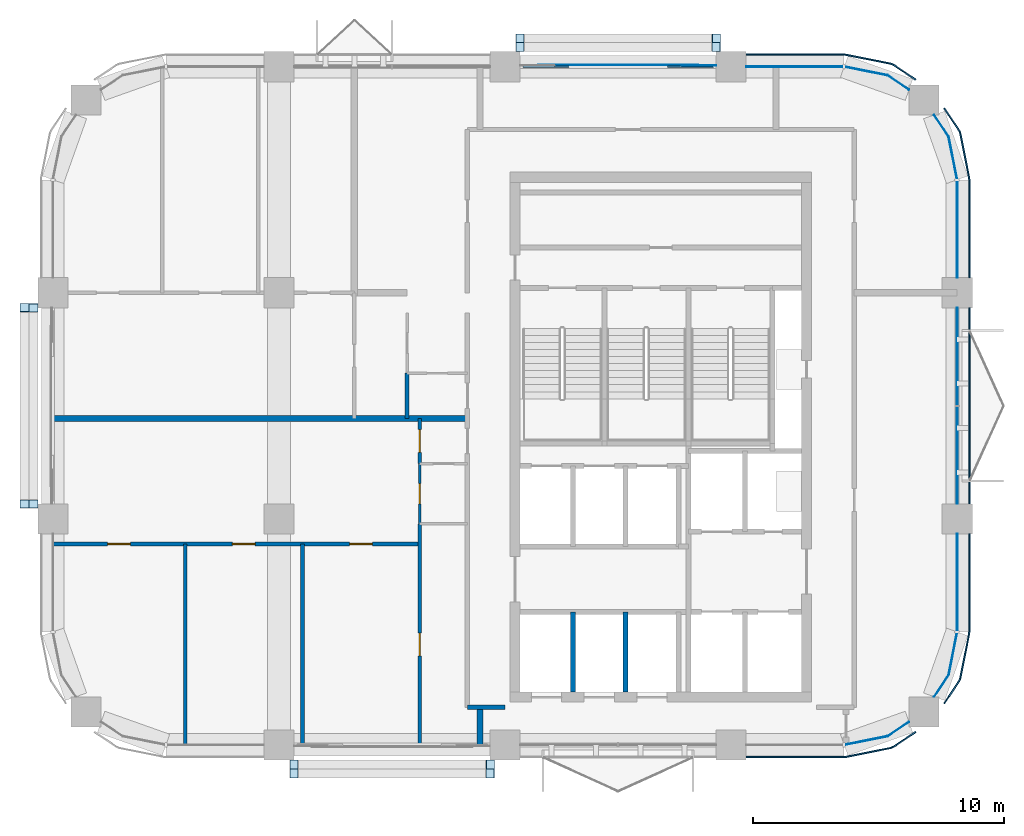
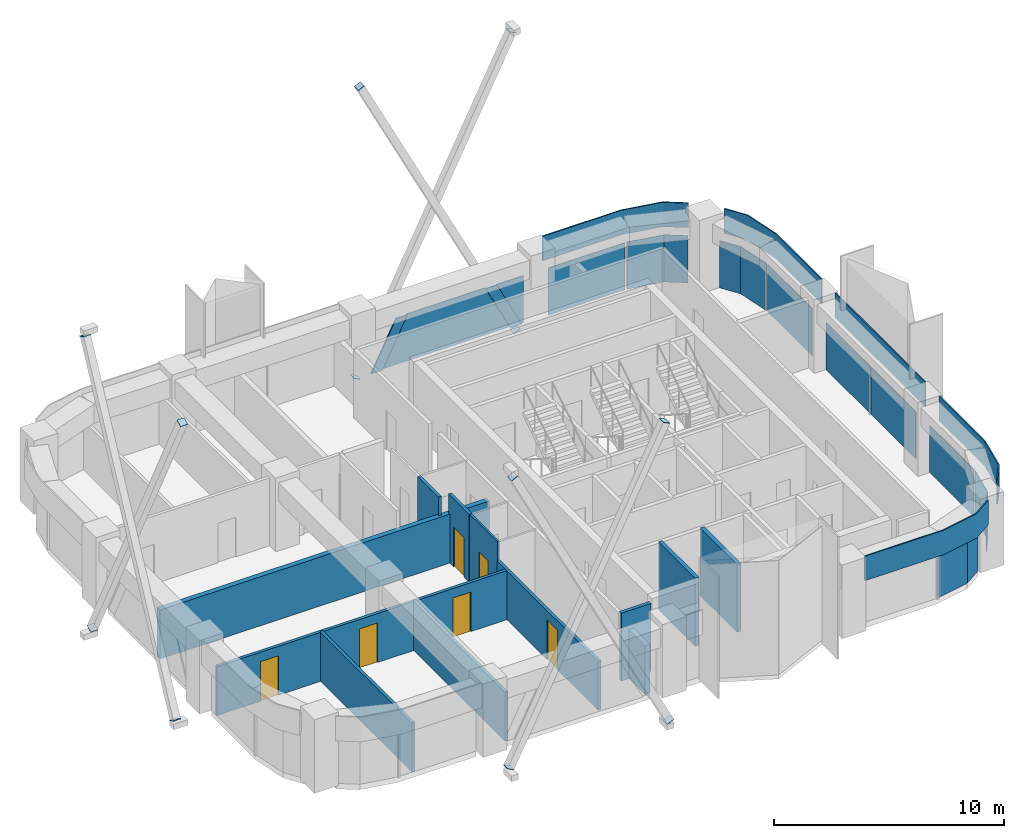
# One storey, part 7 of 11: 30 plates, 12 walls, 6 doors, 6 openings, 6 elements without a shape of their own.
"""IFC4 building model written with IfcOpenShell, lengths in metres."""

from ifc_helpers import new_model, si_unit, direction, frame, frame_2d, origin, origin_2d, place, context, subcontext, project, spatial, polyline, rectangle, outline, extrude, material, layer, layer_set, type_object, element, fill, aggregate, save


model = new_model("IFC4")

# Units and contexts
model_context = context("Model", 3, precision=1e-05, world=origin(), true_north=direction((0.0, 1.0)))
body_context = subcontext(model_context, "Body", "Model", "MODEL_VIEW")
ifc_project = project(units=[si_unit("LENGTHUNIT", "METRE"), si_unit("AREAUNIT", "SQUARE_METRE"), si_unit("VOLUMEUNIT", "CUBIC_METRE"), si_unit("PLANEANGLEUNIT", "RADIAN"), si_unit("MASSUNIT", "GRAM", prefix="KILO")], contexts=[model_context])

# Site, building, storey
site_placement = place(None, origin())
site = spatial("IfcSite", under=ifc_project, at=site_placement, CompositionType="ELEMENT")
building_placement = place(site_placement, origin())
building = spatial("IfcBuilding", under=site, at=building_placement, Name="Tessera Arch", CompositionType="ELEMENT")
storey_placement = place(building_placement, frame((0.0, 0.0, 250.10009765625)))
storey = spatial("IfcBuildingStorey", under=building, at=storey_placement, Name="L60", CompositionType="ELEMENT", Elevation=250.10009765625)

# Curtain wall, plates
ifc_material_1 = material(Name="CW1 curtain wall")
curtain_wall_type_1 = type_object("IfcCurtainWallType", Name="CW1 curtain wall", PredefinedType="NOTDEFINED", material=ifc_material_1)
curtain_wall_1_placement = place(storey_placement, origin())
curtain_wall_1 = element("IfcCurtainWall", 1, at=curtain_wall_1_placement, inside=storey, type_object=curtain_wall_type_1, Name="CW1 curtain wall E54.27/0 L60", PredefinedType="NOTDEFINED")
ifc_material_2 = material(Name="Clear low-e glass", Category="glass")
ifc_material_3 = material(Name="Clear low-e glass", Category="glass")
ifc_layer_1 = layer(ifc_material_3, 0.028076171875)
ifc_layer_set_1 = layer_set([ifc_layer_1], Name="CW1 glass panel")
plate_type_1 = type_object("IfcPlateType", Name="CW1 glass panel", PredefinedType="CURTAIN_PANEL", material=ifc_layer_set_1)
plate_1_placement = place(storey_placement, frame((54.0, 38.534912109375, 0.0), z_axis=(0.0, 0.0, 1.0), x_axis=(0.0, 1.0, 0.0)))
plate_1 = element("IfcPlate", 2, at=plate_1_placement, type_object=plate_type_1, material=ifc_material_2, Name="CW1 glass panel E54.27/0 1.1.1", PredefinedType="CURTAIN_PANEL", context=body_context, shape_type="SweptSolid", body=[
    extrude(rectangle(XDim=3.8701171875, YDim=0.028076171875, at=origin_2d()), origin(), (0.0, 0.0, 1.0), 2.5),
])
plate_2_placement = place(storey_placement, frame((54.0, 42.465087890625, 0.0), z_axis=(0.0, 0.0, 1.0), x_axis=(0.0, 1.0, 0.0)))
plate_2 = element("IfcPlate", 3, at=plate_2_placement, type_object=plate_type_1, material=ifc_material_2, Name="CW1 glass panel E54.27/0 1.2.1", PredefinedType="CURTAIN_PANEL", context=body_context, shape_type="SweptSolid", body=[
    extrude(rectangle(XDim=3.8701171875, YDim=0.028076171875, at=origin_2d()), origin(), (0.0, 0.0, 1.0), 2.5),
])
ifc_material_4 = material(Name="Pale anodised aluminium panel", Category="aluminium")
ifc_layer_2 = layer(ifc_material_4, 0.06005859375)
ifc_layer_set_2 = layer_set([ifc_layer_2], Name="CW1 spandrel panel")
plate_type_2 = type_object("IfcPlateType", Name="CW1 spandrel panel", PredefinedType="CURTAIN_PANEL", material=ifc_layer_set_2)
plate_3_placement = place(storey_placement, frame((54.47998046875, 40.5, 2.60009765625), z_axis=(0.0, 0.0, 1.0), x_axis=(0.0, 1.0, 0.0)))
plate_3 = element("IfcPlate", 4, at=plate_3_placement, type_object=plate_type_2, Name="CW1 spandrel panel E54.27/0", PredefinedType="CURTAIN_PANEL", context=body_context, shape_type="SweptSolid", body=[
    extrude(rectangle(XDim=7.800048828125, YDim=0.06005859375, at=origin_2d()), origin(), (0.0, 0.0, 1.0), 1.300048828125),
])
aggregate(curtain_wall_1, [plate_1, plate_2, plate_3])

ifc_material_5 = material(Name="CW2 curtain wall")
curtain_wall_type_2 = type_object("IfcCurtainWallType", Name="CW2 curtain wall", PredefinedType="NOTDEFINED", material=ifc_material_5)
curtain_wall_2_placement = place(storey_placement, origin())
curtain_wall_2 = element("IfcCurtainWall", 5, at=curtain_wall_2_placement, inside=storey, type_object=curtain_wall_type_2, Name="CW2 curtain wall E54.27/1 L60", PredefinedType="NOTDEFINED")
ifc_material_6 = material(Name="Clear low-e glass", Category="glass")
ifc_layer_3 = layer(ifc_material_6, 0.028076171875)
ifc_layer_set_3 = layer_set([ifc_layer_3], Name="CW2 glass panel")
plate_type_3 = type_object("IfcPlateType", Name="CW2 glass panel", PredefinedType="CURTAIN_PANEL", material=ifc_layer_set_3)
plate_4_placement = place(storey_placement, frame((54.0, 47.530029296875, 0.0), z_axis=(0.0, 0.0, 1.0), x_axis=(0.0, 1.0, 0.0)))
plate_4 = element("IfcPlate", 6, at=plate_4_placement, type_object=plate_type_3, material=ifc_material_2, Name="CW2 glass panel E54.27/1 1.1", PredefinedType="CURTAIN_PANEL", context=body_context, shape_type="SweptSolid", body=[
    extrude(rectangle(XDim=3.860107421875, YDim=0.028076171875, at=origin_2d()), origin(), (0.0, 0.0, 1.0), 2.5),
])
plate_5_placement = place(storey_placement, origin())
plate_5 = element("IfcPlate", 7, at=plate_5_placement, type_object=plate_type_3, material=ifc_material_2, Name="CW2 curved glass panel E54.27/1 2.1", PredefinedType="CURTAIN_PANEL", context=body_context, shape_type="SweptSolid", body=[
    extrude(outline(polyline([(53.644287109375, 51.216552734375), (53.978515625, 49.53662109375), (54.005859375, 49.5419921875), (53.670654296875, 51.2275390625), (53.094482421875, 52.08984375), (53.0712890625, 52.07421875), (53.644287109375, 51.216552734375)])), origin(), (0.0, 0.0, 1.0), 2.5),
])

curtain_wall_3_placement = place(storey_placement, origin())
curtain_wall_3 = element("IfcCurtainWall", 8, at=curtain_wall_3_placement, inside=storey, type_object=curtain_wall_type_2, Name="CW2 curtain wall N54.18/0 L60", PredefinedType="NOTDEFINED")
plate_6_placement = place(storey_placement, frame((47.530029296875, 54.0, 0.0), z_axis=(0.0, 0.0, 1.0), x_axis=(-1.0, 0.0, 0.0)))
plate_6 = element("IfcPlate", 9, at=plate_6_placement, type_object=plate_type_3, material=ifc_material_2, Name="CW2 glass panel N54.18/0 1.1", PredefinedType="CURTAIN_PANEL", context=body_context, shape_type="SweptSolid", body=[
    extrude(rectangle(XDim=3.860107421875, YDim=0.028076171875, at=origin_2d()), origin(), (0.0, 0.0, 1.0), 2.5),
])
plate_7_placement = place(storey_placement, origin())
plate_7 = element("IfcPlate", 10, at=plate_7_placement, type_object=plate_type_3, material=ifc_material_2, Name="CW2 curved glass panel N54.18/0 2.1", PredefinedType="CURTAIN_PANEL", context=body_context, shape_type="SweptSolid", body=[
    extrude(outline(polyline([(51.216552734375, 53.644287109375), (52.07421875, 53.0712890625), (52.08984375, 53.094482421875), (51.2275390625, 53.670654296875), (49.5419921875, 54.005859375), (49.53662109375, 53.978515625), (51.216552734375, 53.644287109375)])), origin(), (0.0, 0.0, 1.0), 2.5),
])

# Curtain wall, plate
curtain_wall_4_placement = place(storey_placement, origin())
curtain_wall_4 = element("IfcCurtainWall", 11, at=curtain_wall_4_placement, inside=storey, type_object=curtain_wall_type_2, Name="CW2 curtain wall S27.18/3 L60", PredefinedType="NOTDEFINED")
plate_8_placement = place(storey_placement, origin())
plate_8 = element("IfcPlate", 12, at=plate_8_placement, type_object=plate_type_3, material=ifc_material_2, Name="CW2 curved glass panel S27.18/3 2.1", PredefinedType="CURTAIN_PANEL", context=body_context, shape_type="SweptSolid", body=[
    extrude(outline(polyline([(51.216552734375, 27.355712890625), (49.53662109375, 27.021484375), (49.5419921875, 26.994140625), (51.2275390625, 27.329345703125), (52.08984375, 27.905517578125), (52.07421875, 27.9287109375), (51.216552734375, 27.355712890625)])), origin(), (0.0, 0.0, 1.0), 2.5),
])

# Curtain wall, plates
curtain_wall_5_placement = place(storey_placement, origin())
curtain_wall_5 = element("IfcCurtainWall", 13, at=curtain_wall_5_placement, inside=storey, type_object=curtain_wall_type_2, Name="CW2 curtain wall E54.27/2 L60", PredefinedType="NOTDEFINED")
plate_9_placement = place(storey_placement, frame((54.0, 33.469970703125, 0.0), z_axis=(0.0, 0.0, 1.0), x_axis=(0.0, 1.0, 0.0)))
plate_9 = element("IfcPlate", 14, at=plate_9_placement, type_object=plate_type_3, material=ifc_material_2, Name="CW2 glass panel E54.27/2 1.1", PredefinedType="CURTAIN_PANEL", context=body_context, shape_type="SweptSolid", body=[
    extrude(rectangle(XDim=3.860107421875, YDim=0.028076171875, at=origin_2d()), origin(), (0.0, 0.0, 1.0), 2.5),
])
plate_10_placement = place(storey_placement, origin())
plate_10 = element("IfcPlate", 15, at=plate_10_placement, type_object=plate_type_3, material=ifc_material_2, Name="CW2 curved glass panel E54.27/2 2.1", PredefinedType="CURTAIN_PANEL", context=body_context, shape_type="SweptSolid", body=[
    extrude(outline(polyline([(53.644287109375, 29.783447265625), (53.0712890625, 28.92578125), (53.094482421875, 28.91015625), (53.670654296875, 29.7724609375), (54.005859375, 31.4580078125), (53.978515625, 31.46337890625), (53.644287109375, 29.783447265625)])), origin(), (0.0, 0.0, 1.0), 2.5),
])

# Plate
ifc_material_7 = material(Name="Pale anodised aluminium panel", Category="aluminium")
ifc_layer_4 = layer(ifc_material_7, 0.06005859375)
ifc_layer_set_4 = layer_set([ifc_layer_4], Name="CW2 spandrel panel")
plate_type_4 = type_object("IfcPlateType", Name="CW2 spandrel panel", PredefinedType="CURTAIN_PANEL", material=ifc_layer_set_4)
plate_11_placement = place(storey_placement, frame((0.0, 0.0, 2.599853515625)))
plate_11 = element("IfcPlate", 16, at=plate_11_placement, type_object=plate_type_4, Name="CW2 spandrel panel E54.27/1", PredefinedType="CURTAIN_PANEL", context=body_context, shape_type="SweptSolid", body=[
    extrude(outline(polyline([(54.449951171875, 49.499267578125), (54.449951171875, 45.60009765625), (54.510009765625, 45.60009765625), (54.510009765625, 49.500732421875), (54.507568359375, 49.550048828125), (54.500244140625, 49.598876953125), (54.157470703125, 51.322265625), (54.1455078125, 51.3701171875), (54.128662109375, 51.417236328125), (54.107421875, 51.462646484375), (54.08203125, 51.5048828125), (53.5068359375, 52.365234375), (53.45703125, 52.33203125), (54.03125, 51.47265625), (54.054443359375, 51.434326171875), (54.0732421875, 51.394287109375), (54.088134765625, 51.352783203125), (54.09912109375, 51.30908203125), (54.441162109375, 49.588623046875), (54.44775390625, 49.544189453125), (54.449951171875, 49.499267578125)])), origin(), (0.0, 0.0, 1.0), 1.300048828125),
])

aggregate(curtain_wall_2, [plate_4, plate_5, plate_11])

plate_12_placement = place(storey_placement, frame((0.0, 0.0, 2.599853515625)))
plate_12 = element("IfcPlate", 17, at=plate_12_placement, type_object=plate_type_4, Name="CW2 spandrel panel N54.18/0", PredefinedType="CURTAIN_PANEL", context=body_context, shape_type="SweptSolid", body=[
    extrude(outline(polyline([(51.47265625, 54.03125), (52.33203125, 53.45703125), (52.365234375, 53.5068359375), (51.5048828125, 54.08203125), (51.462646484375, 54.107421875), (51.417236328125, 54.128662109375), (51.3701171875, 54.1455078125), (51.322265625, 54.157470703125), (49.598876953125, 54.500244140625), (49.550048828125, 54.507568359375), (49.500732421875, 54.510009765625), (45.60009765625, 54.510009765625), (45.60009765625, 54.449951171875), (49.499267578125, 54.449951171875), (49.544189453125, 54.44775390625), (49.588623046875, 54.441162109375), (51.30908203125, 54.09912109375), (51.352783203125, 54.088134765625), (51.394287109375, 54.0732421875), (51.434326171875, 54.054443359375), (51.47265625, 54.03125)])), origin(), (0.0, 0.0, 1.0), 1.300048828125),
])

aggregate(curtain_wall_3, [plate_6, plate_7, plate_12])

plate_13_placement = place(storey_placement, frame((0.0, 0.0, 2.599853515625)))
plate_13 = element("IfcPlate", 18, at=plate_13_placement, type_object=plate_type_4, Name="CW2 spandrel panel S27.18/3", PredefinedType="CURTAIN_PANEL", context=body_context, shape_type="SweptSolid", body=[
    extrude(outline(polyline([(49.499267578125, 26.550048828125), (45.60009765625, 26.550048828125), (45.60009765625, 26.489990234375), (49.500732421875, 26.489990234375), (49.550048828125, 26.492431640625), (49.598876953125, 26.499755859375), (51.322265625, 26.842529296875), (51.3701171875, 26.8544921875), (51.417236328125, 26.871337890625), (51.462646484375, 26.892578125), (51.5048828125, 26.91796875), (52.365234375, 27.4931640625), (52.33203125, 27.54296875), (51.47265625, 26.96875), (51.434326171875, 26.945556640625), (51.394287109375, 26.9267578125), (51.352783203125, 26.911865234375), (51.30908203125, 26.90087890625), (49.588623046875, 26.558837890625), (49.544189453125, 26.55224609375), (49.499267578125, 26.550048828125)])), origin(), (0.0, 0.0, 1.0), 1.300048828125),
])

aggregate(curtain_wall_4, [plate_8, plate_13])

plate_14_placement = place(storey_placement, frame((0.0, 0.0, 2.599853515625)))
plate_14 = element("IfcPlate", 19, at=plate_14_placement, type_object=plate_type_4, Name="CW2 spandrel panel E54.27/2", PredefinedType="CURTAIN_PANEL", context=body_context, shape_type="SweptSolid", body=[
    extrude(outline(polyline([(54.03125, 29.52734375), (53.45703125, 28.66796875), (53.5068359375, 28.634765625), (54.08203125, 29.4951171875), (54.107421875, 29.537353515625), (54.128662109375, 29.582763671875), (54.1455078125, 29.6298828125), (54.157470703125, 29.677734375), (54.500244140625, 31.401123046875), (54.507568359375, 31.449951171875), (54.510009765625, 31.499267578125), (54.510009765625, 35.39990234375), (54.449951171875, 35.39990234375), (54.449951171875, 31.500732421875), (54.44775390625, 31.455810546875), (54.441162109375, 31.411376953125), (54.09912109375, 29.69091796875), (54.088134765625, 29.647216796875), (54.0732421875, 29.605712890625), (54.054443359375, 29.565673828125), (54.03125, 29.52734375)])), origin(), (0.0, 0.0, 1.0), 1.300048828125),
])

aggregate(curtain_wall_5, [plate_9, plate_10, plate_14])

# Curtain wall, plates
ifc_material_8 = material(Name="CW3 curtain wall")
curtain_wall_type_3 = type_object("IfcCurtainWallType", Name="CW3 curtain wall", PredefinedType="NOTDEFINED", material=ifc_material_8)
curtain_wall_6_placement = place(storey_placement, origin())
curtain_wall_6 = element("IfcCurtainWall", 20, at=curtain_wall_6_placement, inside=storey, type_object=curtain_wall_type_3, Name="CW3 curtain wall N54.18/1 L60", PredefinedType="NOTDEFINED")
ifc_material_9 = material(Name="Pale anodised aluminium panel", Category="aluminium")
ifc_layer_5 = layer(ifc_material_9, 0.06005859375)
ifc_layer_set_5 = layer_set([ifc_layer_5], Name="CW3 diagonal panel")
plate_type_5 = type_object("IfcPlateType", Name="CW3 diagonal panel", PredefinedType="CURTAIN_PANEL", material=ifc_layer_set_5)
plate_15_placement = place(storey_placement, frame((37.9677734375, 54.030029296875, 2.5), z_axis=(0.0, 1.0, 0.0), x_axis=(1.0, 0.0, 0.0)))
plate_15 = element("IfcPlate", 21, at=plate_15_placement, type_object=plate_type_5, Name="CW3 diagonal panel N54.18/1 1", PredefinedType="CURTAIN_PANEL", context=body_context, shape_type="SweptSolid", body=[
    extrude(outline(polyline([(0.0, 0.0), (0.564453125, 0.0), (-0.685546875, 2.5), (-1.25, 2.5), (0.0, 0.0)])), origin(), (0.0, 0.0, -1.0), 0.06005859375),
])
plate_16_placement = place(storey_placement, frame((42.4677734375, 54.030029296875, 2.5), z_axis=(0.0, 1.0, 0.0), x_axis=(1.0, 0.0, 0.0)))
plate_16 = element("IfcPlate", 22, at=plate_16_placement, type_object=plate_type_5, Name="CW3 diagonal panel N54.18/1 2", PredefinedType="CURTAIN_PANEL", context=body_context, shape_type="SweptSolid", body=[
    extrude(outline(polyline([(0.0, 0.0), (0.564453125, 0.0), (1.814453125, 2.5), (1.25, 2.5), (0.0, 0.0)])), origin(), (0.0, 0.0, -1.0), 0.06005859375),
])
ifc_material_10 = material(Name="Clear low-e glass", Category="glass")
ifc_layer_6 = layer(ifc_material_10, 0.028076171875)
ifc_layer_set_6 = layer_set([ifc_layer_6], Name="CW3 glass panel")
plate_type_6 = type_object("IfcPlateType", Name="CW3 glass panel", PredefinedType="CURTAIN_PANEL", material=ifc_layer_set_6)
plate_17_placement = place(storey_placement, frame((44.39990234375, 54.05810546875, 0.0), z_axis=(0.0, 1.0, 0.0), x_axis=(-1.0, 0.0, 0.0)))
plate_17 = element("IfcPlate", 23, at=plate_17_placement, type_object=plate_type_6, material=ifc_material_2, Name="CW3 triangulated glass panel N54.18/1 1", PredefinedType="CURTAIN_PANEL", context=body_context, shape_type="SweptSolid", body=[
    extrude(outline(polyline([(0.0, 0.0), (0.11767578125, 0.0), (1.36767578125, 2.5), (0.0, 2.5), (0.0, 0.0)])), origin(), (0.0, 0.0, -1.0), 0.028076171875),
])
plate_18_placement = place(storey_placement, frame((38.5322265625, 54.0859375, 2.5), z_axis=(0.0, 1.0, 0.0), x_axis=(1.0, 0.0, 0.0)))
plate_18 = element("IfcPlate", 24, at=plate_18_placement, type_object=plate_type_6, material=ifc_material_2, Name="CW3 triangulated glass panel N54.18/1 2", PredefinedType="CURTAIN_PANEL", context=body_context, shape_type="SweptSolid", body=[
    extrude(outline(polyline([(0.0, 0.0), (3.935546875, 0.0), (5.185546875, 2.5), (-1.25, 2.5), (0.0, 0.0)])), origin(), (0.0, 0.0, -1.0), 0.028076171875),
])
aggregate(curtain_wall_6, [plate_17, plate_18, plate_15, plate_16])

# Plates
ifc_material_11 = material(Name="Steel A572 Gr50", Category="steel")
ifc_layer_7 = layer(ifc_material_11, 0.02490234375)
ifc_layer_set_7 = layer_set([ifc_layer_7], Name="End plate HSS14x14x1/2")
plate_type_7 = type_object("IfcPlateType", Name="End plate HSS14x14x1/2", PredefinedType="SHEET", material=ifc_layer_set_7)
for number, where, z_axis, x_axis, name in (
    (25, (44.4111328125, 54.77783203125, -0.822509765625), (-0.4472135955, 0.0, 0.894427191), (0.0, -1.0, 0.0), "End plate HSS14x14x1/2 N54.18-1 A1 L60"),
    (26, (36.60009765625, 54.77783203125, 14.7998046875), (-0.4472135955, 0.0, 0.894427191), (0.0, -1.0, 0.0), "End plate HSS14x14x1/2 N54.18-1 A2 L60"),
    (27, (36.5888671875, 55.13330078125, -0.822509765625), (0.4472135955, 0.0, 0.894427191), (0.0, 1.0, 0.0), "End plate HSS14x14x1/2 N54.18-1 B1 L60"),
    (28, (44.39990234375, 55.13330078125, 14.7998046875), (0.4472135955, 0.0, 0.894427191), (0.0, 1.0, 0.0), "End plate HSS14x14x1/2 N54.18-1 B2 L60"),
    (29, (17.22216796875, 44.4111328125, -0.822509765625), (0.0, -0.4472135955, 0.894427191), (1.0, 0.0, 0.0), "End plate HSS14x14x1/2 W18.27-1 A1 L60"),
    (30, (17.22216796875, 36.60009765625, 14.7998046875), (0.0, -0.4472135955, 0.894427191), (1.0, 0.0, 0.0), "End plate HSS14x14x1/2 W18.27-1 A2 L60"),
    (31, (16.86669921875, 36.5888671875, -0.822509765625), (0.0, 0.4472135955, 0.894427191), (-1.0, 0.0, 0.0), "End plate HSS14x14x1/2 W18.27-1 B1 L60"),
    (32, (16.86669921875, 44.39990234375, 14.7998046875), (0.0, 0.4472135955, 0.894427191), (-1.0, 0.0, 0.0), "End plate HSS14x14x1/2 W18.27-1 B2 L60"),
    (33, (27.5888671875, 26.22216796875, -0.822509765625), (0.4472135955, 0.0, 0.894427191), (0.0, 1.0, 0.0), "End plate HSS14x14x1/2 S27.18-1 A1 L60"),
    (34, (35.39990234375, 26.22216796875, 14.7998046875), (0.4472135955, 0.0, 0.894427191), (0.0, 1.0, 0.0), "End plate HSS14x14x1/2 S27.18-1 A2 L60"),
    (35, (35.4111328125, 25.86669921875, -0.822509765625), (-0.4472135955, 0.0, 0.894427191), (0.0, -1.0, 0.0), "End plate HSS14x14x1/2 S27.18-1 B1 L60"),
    (36, (27.60009765625, 25.86669921875, 14.7998046875), (-0.4472135955, 0.0, 0.894427191), (0.0, -1.0, 0.0), "End plate HSS14x14x1/2 S27.18-1 B2 L60"),
):
    element("IfcPlate", number, at=place(storey_placement, frame(where, z_axis=z_axis, x_axis=x_axis)), inside=storey, type_object=plate_type_7, Name=name, PredefinedType="SHEET", context=body_context, shape_type="SweptSolid", body=[
        extrude(rectangle(XDim=0.355712890625, YDim=0.355712890625, at=origin_2d()), origin(), (0.0, 0.0, 1.0), 0.025146484375),
    ])

# Wall
ifc_material_12 = material(Name="Gypsum board on deep steel stud with mineral wool", Category="steel")
ifc_layer_8 = layer(ifc_material_12, 0.175048828125)
ifc_layer_set_8 = layer_set([ifc_layer_8], Name="Corridor wall 175 EI 60")
wall_type_1 = type_object("IfcWallType", Name="Corridor wall 175 EI 60", PredefinedType="PARTITIONING", material=ifc_layer_set_8)
wall_1_placement = place(storey_placement, frame((34.5, 28.5, 0.0), z_axis=(0.0, 0.0, 1.0), x_axis=(1.0, 0.0, 0.0)))
element("IfcWall", 37, at=wall_1_placement, inside=storey, type_object=wall_type_1, Name="L60 partition 1", PredefinedType="PARTITIONING", context=body_context, shape_type="SweptSolid", body=[
    extrude(rectangle(XDim=1.5, YDim=0.175048828125, at=frame_2d((0.75, 0.0))), origin(), (0.0, 0.0, 1.0), 3.599853515625),
])

# Wall, openings, doors
ifc_material_13 = material(Name="Gypsum board on steel stud", Category="steel")
ifc_layer_9 = layer(ifc_material_13, 0.14990234375)
ifc_layer_set_9 = layer_set([ifc_layer_9], Name="Partition 150")
wall_type_2 = type_object("IfcWallType", Name="Partition 150", PredefinedType="PARTITIONING", material=ifc_layer_set_9)
wall_2_placement = place(storey_placement, frame((18.0, 35.0, 0.0), z_axis=(0.0, 0.0, 1.0), x_axis=(1.0, 0.0, 0.0)))
wall_2 = element("IfcWall", 38, at=wall_2_placement, inside=storey, type_object=wall_type_2, Name="L60 partition 7", PredefinedType="PARTITIONING", context=body_context, shape_type="SweptSolid", body=[
    extrude(rectangle(XDim=14.60009765625, YDim=0.14990234375, at=frame_2d((7.300048828125, 0.0))), origin(), (0.0, 0.0, 1.0), 2.599853515625),
])
opening_1_placement = place(wall_2_placement, frame((11.815673828125, 0.0, 0.0)))
opening_1 = element("IfcOpeningElement", 39, at=opening_1_placement, cuts=wall_2, Name="Opening L60-D006", PredefinedType="OPENING", context=body_context, shape_type="SweptSolid", body=[
    extrude(rectangle(XDim=0.89990234375, YDim=2.10009765625, at=frame_2d((0.449951171875, 1.050048828125))), frame((0.0, 0.0849609375, 0.0), z_axis=(0.0, -1.0, 0.0), x_axis=(1.0, 0.0, 0.0)), (0.0, 0.0, 1.0), 0.169921875),
])
opening_2_placement = place(wall_2_placement, frame((7.14697265625, 0.0, 0.0)))
opening_2 = element("IfcOpeningElement", 40, at=opening_2_placement, cuts=wall_2, Name="Opening L60-D007", PredefinedType="OPENING", context=body_context, shape_type="SweptSolid", body=[
    extrude(rectangle(XDim=0.89990234375, YDim=2.10009765625, at=frame_2d((0.449951171875, 1.050048828125))), frame((0.0, 0.0849609375, 0.0), z_axis=(0.0, -1.0, 0.0), x_axis=(1.0, 0.0, 0.0)), (0.0, 0.0, 1.0), 0.169921875),
])
opening_3_placement = place(wall_2_placement, frame((2.181396484375, 0.0, 0.0)))
opening_3 = element("IfcOpeningElement", 41, at=opening_3_placement, cuts=wall_2, Name="Opening L60-D008", PredefinedType="OPENING", context=body_context, shape_type="SweptSolid", body=[
    extrude(rectangle(XDim=0.89990234375, YDim=2.10009765625, at=frame_2d((0.449951171875, 1.050048828125))), frame((0.0, 0.0849609375, 0.0), z_axis=(0.0, -1.0, 0.0), x_axis=(1.0, 0.0, 0.0)), (0.0, 0.0, 1.0), 0.169921875),
])
ifc_material_14 = material(Name="Timber door leaf", Category="wood")
door_type_1 = type_object("IfcDoorType", Name="Room door 900 x 2100", OperationType="SINGLE_SWING_LEFT", PredefinedType="DOOR", material=ifc_material_14)
door_1_placement = place(opening_1_placement, origin())
door_1 = element("IfcDoor", 42, at=door_1_placement, inside=storey, type_object=door_type_1, Name="L60 door D006 type D01", OperationType="SINGLE_SWING_LEFT", OverallHeight=2.10009765625, OverallWidth=0.89990234375, PredefinedType="DOOR", context=body_context, shape_type="SweptSolid", body=[
    extrude(rectangle(XDim=0.89990234375, YDim=2.10009765625, at=frame_2d((0.449951171875, 1.050048828125))), frame((0.0, 0.02490234375, 0.0), z_axis=(0.0, -1.0, 0.0), x_axis=(1.0, 0.0, 0.0)), (0.0, 0.0, 1.0), 0.050048828125),
])
fill(opening_1, door_1)
door_2_placement = place(opening_2_placement, origin())
door_2 = element("IfcDoor", 43, at=door_2_placement, inside=storey, type_object=door_type_1, Name="L60 door D007 type D01", OperationType="SINGLE_SWING_LEFT", OverallHeight=2.10009765625, OverallWidth=0.89990234375, PredefinedType="DOOR", context=body_context, shape_type="SweptSolid", body=[
    extrude(rectangle(XDim=0.89990234375, YDim=2.10009765625, at=frame_2d((0.449951171875, 1.050048828125))), frame((0.0, 0.02490234375, 0.0), z_axis=(0.0, -1.0, 0.0), x_axis=(1.0, 0.0, 0.0)), (0.0, 0.0, 1.0), 0.050048828125),
])
fill(opening_2, door_2)
door_3_placement = place(opening_3_placement, origin())
door_3 = element("IfcDoor", 44, at=door_3_placement, inside=storey, type_object=door_type_1, Name="L60 door D008 type D01", OperationType="SINGLE_SWING_LEFT", OverallHeight=2.10009765625, OverallWidth=0.89990234375, PredefinedType="DOOR", context=body_context, shape_type="SweptSolid", body=[
    extrude(rectangle(XDim=0.89990234375, YDim=2.10009765625, at=frame_2d((0.449951171875, 1.050048828125))), frame((0.0, 0.02490234375, 0.0), z_axis=(0.0, -1.0, 0.0), x_axis=(1.0, 0.0, 0.0)), (0.0, 0.0, 1.0), 0.050048828125),
])
fill(opening_3, door_3)

# Walls
for number, where, z_axis, x_axis, name in (
    (45, (23.262939453125, 27.0, 0.0), (0.0, 0.0, 1.0), (0.0, 1.0, 0.0), "L60 partition 10"),
    (46, (27.930908203125, 27.0, 0.0), (0.0, 0.0, 1.0), (0.0, 1.0, 0.0), "L60 partition 12"),
):
    element("IfcWall", number, at=place(storey_placement, frame(where, z_axis=z_axis, x_axis=x_axis)), inside=storey, type_object=wall_type_2, Name=name, PredefinedType="PARTITIONING", context=body_context, shape_type="SweptSolid", body=[
        extrude(rectangle(XDim=8.0, YDim=0.14990234375, at=frame_2d((4.0, 0.0))), origin(), (0.0, 0.0, 1.0), 2.599853515625),
    ])
wall_3_placement = place(storey_placement, frame((32.10009765625, 40.0, 0.0), z_axis=(0.0, 0.0, 1.0), x_axis=(0.0, 1.0, 0.0)))
element("IfcWall", 47, at=wall_3_placement, inside=storey, type_object=wall_type_2, Name="L60 partition 14", PredefinedType="PARTITIONING", context=body_context, shape_type="SweptSolid", body=[
    extrude(rectangle(XDim=1.800048828125, YDim=0.14990234375, at=frame_2d((0.89990234375, 0.0))), origin(), (0.0, 0.0, 1.0), 3.599853515625),
])

# Wall, opening, door
wall_4_placement = place(storey_placement, frame((32.60009765625, 27.0, 0.0), z_axis=(0.0, 0.0, 1.0), x_axis=(0.0, 1.0, 0.0)))
wall_4 = element("IfcWall", 48, at=wall_4_placement, inside=storey, type_object=wall_type_2, Name="L60 partition 15", PredefinedType="PARTITIONING", context=body_context, shape_type="SweptSolid", body=[
    extrude(rectangle(XDim=8.800048828125, YDim=0.14990234375, at=frame_2d((4.39990234375, 0.0))), origin(), (0.0, 0.0, 1.0), 2.599853515625),
])
opening_4_placement = place(wall_4_placement, frame((3.550048828125, 0.0, 0.0)))
opening_4 = element("IfcOpeningElement", 49, at=opening_4_placement, cuts=wall_4, Name="Opening L60-D005", PredefinedType="OPENING", context=body_context, shape_type="SweptSolid", body=[
    extrude(rectangle(XDim=0.89990234375, YDim=2.10009765625, at=frame_2d((0.449951171875, 1.050048828125))), frame((0.0, 0.0849609375, 0.0), z_axis=(0.0, -1.0, 0.0), x_axis=(1.0, 0.0, 0.0)), (0.0, 0.0, 1.0), 0.169921875),
])
door_4_placement = place(opening_4_placement, origin())
door_4 = element("IfcDoor", 50, at=door_4_placement, inside=storey, type_object=door_type_1, Name="L60 door D005 type D01", OperationType="SINGLE_SWING_LEFT", OverallHeight=2.10009765625, OverallWidth=0.89990234375, PredefinedType="DOOR", context=body_context, shape_type="SweptSolid", body=[
    extrude(rectangle(XDim=0.89990234375, YDim=2.10009765625, at=frame_2d((0.449951171875, 1.050048828125))), frame((0.0, 0.02490234375, 0.0), z_axis=(0.0, -1.0, 0.0), x_axis=(1.0, 0.0, 0.0)), (0.0, 0.0, 1.0), 0.050048828125),
])
fill(opening_4, door_4)

wall_5_placement = place(storey_placement, frame((32.60009765625, 38.199951171875, 0.0), z_axis=(0.0, 0.0, 1.0), x_axis=(0.0, 1.0, 0.0)))
wall_5 = element("IfcWall", 51, at=wall_5_placement, inside=storey, type_object=wall_type_2, Name="L60 partition 16", PredefinedType="PARTITIONING", context=body_context, shape_type="SweptSolid", body=[
    extrude(rectangle(XDim=1.800048828125, YDim=0.14990234375, at=frame_2d((0.89990234375, 0.0))), origin(), (0.0, 0.0, 1.0), 3.599853515625),
])
opening_5_placement = place(wall_5_placement, frame((0.449951171875, 0.0, 0.0)))
opening_5 = element("IfcOpeningElement", 52, at=opening_5_placement, cuts=wall_5, Name="Opening L60-D002", PredefinedType="OPENING", context=body_context, shape_type="SweptSolid", body=[
    extrude(rectangle(XDim=0.89990234375, YDim=2.10009765625, at=frame_2d((0.449951171875, 1.050048828125))), frame((0.0, 0.0849609375, 0.0), z_axis=(0.0, -1.0, 0.0), x_axis=(1.0, 0.0, 0.0)), (0.0, 0.0, 1.0), 0.169921875),
])
door_5_placement = place(opening_5_placement, origin())
door_5 = element("IfcDoor", 53, at=door_5_placement, inside=storey, type_object=door_type_1, Name="L60 door D002 type D01", OperationType="SINGLE_SWING_LEFT", OverallHeight=2.10009765625, OverallWidth=0.89990234375, PredefinedType="DOOR", context=body_context, shape_type="SweptSolid", body=[
    extrude(rectangle(XDim=0.89990234375, YDim=2.10009765625, at=frame_2d((0.449951171875, 1.050048828125))), frame((0.0, 0.02490234375, 0.0), z_axis=(0.0, -1.0, 0.0), x_axis=(1.0, 0.0, 0.0)), (0.0, 0.0, 1.0), 0.050048828125),
])
fill(opening_5, door_5)

# Walls
ifc_material_15 = material(Name="Double gypsum board on twin steel stud with acoustic mineral wool", Category="steel")
ifc_layer_10 = layer(ifc_material_15, 0.25)
ifc_layer_set_10 = layer_set([ifc_layer_10], Name="Party wall 250 EI 60")
wall_type_3 = type_object("IfcWallType", Name="Party wall 250 EI 60", PredefinedType="PARTITIONING", material=ifc_layer_set_10)
wall_6_placement = place(storey_placement, frame((18.0, 40.0, 0.0), z_axis=(0.0, 0.0, 1.0), x_axis=(1.0, 0.0, 0.0)))
element("IfcWall", 54, at=wall_6_placement, inside=storey, type_object=wall_type_3, Name="L60 partition 17", PredefinedType="PARTITIONING", context=body_context, shape_type="SweptSolid", body=[
    extrude(rectangle(XDim=16.5, YDim=0.25, at=frame_2d((8.25, 0.0))), origin(), (0.0, 0.0, 1.0), 2.599853515625),
])
wall_7_placement = place(storey_placement, frame((35.0, 27.0, 0.0), z_axis=(0.0, 0.0, 1.0), x_axis=(0.0, 1.0, 0.0)))
element("IfcWall", 55, at=wall_7_placement, inside=storey, type_object=wall_type_3, Name="L60 partition 21", PredefinedType="PARTITIONING", context=body_context, shape_type="SweptSolid", body=[
    extrude(rectangle(XDim=1.5, YDim=0.25, at=frame_2d((0.75, 0.0))), origin(), (0.0, 0.0, 1.0), 2.599853515625),
])
ifc_material_16 = material(Name="Concrete C40/50", Category="concrete")
ifc_layer_11 = layer(ifc_material_16, 0.199951171875)
ifc_layer_set_11 = layer_set([ifc_layer_11], Name="Shaft wall 200 EI 120")
wall_type_4 = type_object("IfcWallType", Name="Shaft wall 200 EI 120", PredefinedType="SOLIDWALL", material=ifc_layer_set_11)
for number, where, z_axis, x_axis, name in (
    (56, (38.699951171875, 29.10009765625, 0.0), (0.0, 0.0, 1.0), (0.0, 1.0, 0.0), "L60 C1 shaft wall 1"),
    (57, (40.800048828125, 29.10009765625, 0.0), (0.0, 0.0, 1.0), (0.0, 1.0, 0.0), "L60 C1 shaft wall 5"),
):
    element("IfcWall", number, at=place(storey_placement, frame(where, z_axis=z_axis, x_axis=x_axis)), inside=storey, type_object=wall_type_4, Name=name, PredefinedType="SOLIDWALL", context=body_context, shape_type="SweptSolid", body=[
        extrude(rectangle(XDim=3.199951171875, YDim=0.199951171875, at=frame_2d((1.60009765625, 0.0))), origin(), (0.0, 0.0, 1.0), 3.599853515625),
    ])

# Wall, opening, door
ifc_material_17 = material(Name="Moisture-resistant board on pre-plumbed steel stud", Category="steel")
ifc_layer_12 = layer(ifc_material_17, 0.10009765625)
ifc_layer_set_12 = layer_set([ifc_layer_12], Name="Wet wall 100")
wall_type_5 = type_object("IfcWallType", Name="Wet wall 100", PredefinedType="PARTITIONING", material=ifc_layer_set_12)
wall_8_placement = place(storey_placement, frame((32.60009765625, 35.800048828125, 0.0), z_axis=(0.0, 0.0, 1.0), x_axis=(0.0, 1.0, 0.0)))
wall_8 = element("IfcWall", 58, at=wall_8_placement, inside=storey, type_object=wall_type_5, Name="L60 partition 29", PredefinedType="PARTITIONING", context=body_context, shape_type="SweptSolid", body=[
    extrude(rectangle(XDim=2.39990234375, YDim=0.10009765625, at=frame_2d((1.199951171875, 0.0))), origin(), (0.0, 0.0, 1.0), 3.599853515625),
])
opening_6_placement = place(wall_8_placement, frame((0.800048828125, 0.0, 0.0)))
opening_6 = element("IfcOpeningElement", 59, at=opening_6_placement, cuts=wall_8, Name="Opening L60-D004", PredefinedType="OPENING", context=body_context, shape_type="SweptSolid", body=[
    extrude(rectangle(XDim=0.800048828125, YDim=2.10009765625, at=frame_2d((0.39990234375, 1.050048828125))), frame((0.0, 0.06005859375, 0.0), z_axis=(0.0, -1.0, 0.0), x_axis=(1.0, 0.0, 0.0)), (0.0, 0.0, 1.0), 0.1201171875),
])
ifc_material_18 = material(Name="Timber door leaf", Category="wood")
door_type_2 = type_object("IfcDoorType", Name="En-suite door 800 x 2100", OperationType="SINGLE_SWING_LEFT", PredefinedType="DOOR", material=ifc_material_18)
door_6_placement = place(opening_6_placement, origin())
door_6 = element("IfcDoor", 60, at=door_6_placement, inside=storey, type_object=door_type_2, Name="L60 door D004 type D02", OperationType="SINGLE_SWING_RIGHT", OverallHeight=2.10009765625, OverallWidth=0.800048828125, PredefinedType="DOOR", context=body_context, shape_type="SweptSolid", body=[
    extrude(rectangle(XDim=0.800048828125, YDim=2.10009765625, at=frame_2d((0.39990234375, 1.050048828125))), frame((0.0, 0.02490234375, 0.0), z_axis=(0.0, -1.0, 0.0), x_axis=(1.0, 0.0, 0.0)), (0.0, 0.0, 1.0), 0.050048828125),
])
fill(opening_6, door_6)

save(model, "model.ifc")
